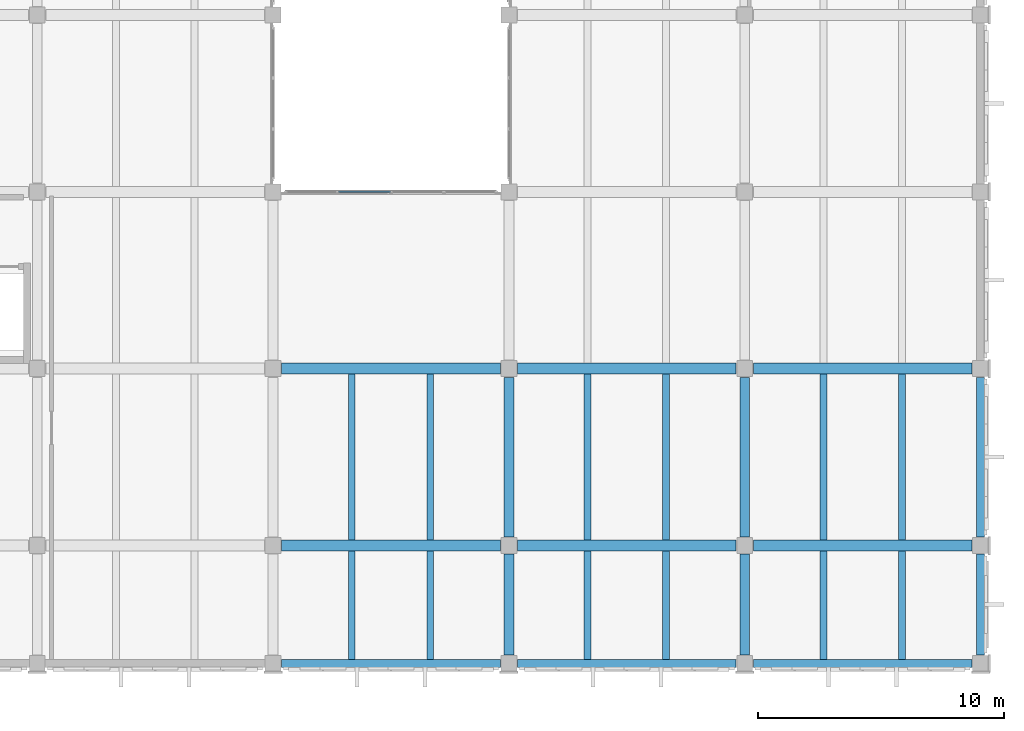
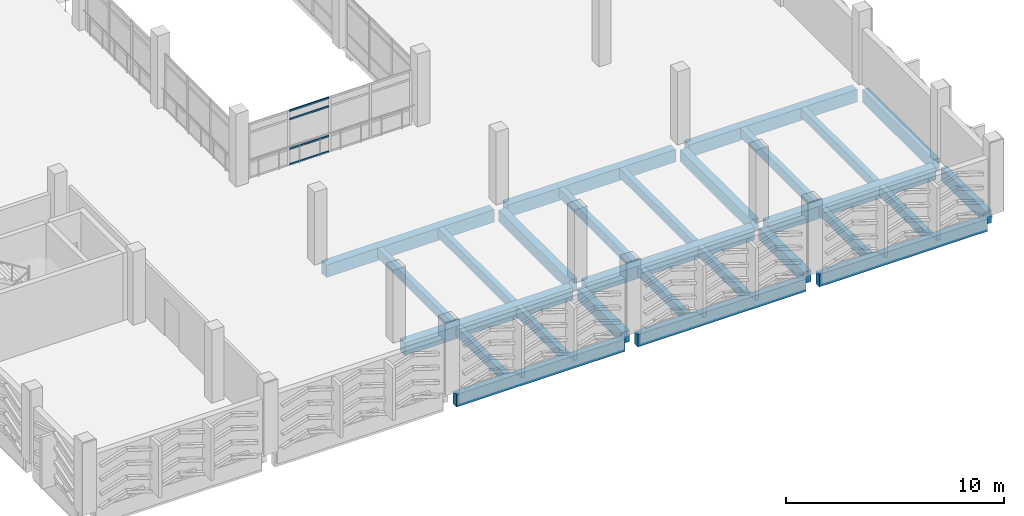
# One storey, part 65 of 134: 27 beams, 4 members, 1 element without a shape of its own.
"""IFC4 building model written with IfcOpenShell, lengths in metres."""

import ifcopenshell
import ifcopenshell.guid

model = None  # the IFC model being written
_history = None  # IfcOwnerHistory: only IFC2X3 demands one
_inside = {}  # id of a spatial element -> (the spatial element, [elements in it])
_under = {}  # id of a project, library or spatial element -> (it, [spatial elements below it])
_declared = {}  # id of a project -> (the project, [libraries it declares])
_typed = {}  # id of a type object -> (the type object, [elements of that type])
_made_of = {}  # id of a material, layer set ... -> (it, [elements and type objects made of it])


def new_model(schema):
    """Start an empty IFC model of exactly this schema.

    Asked for "IFC4X3", IfcOpenShell would pick the latest addendum, in which some entities
    have other attributes; the version numbers below select the first issue.
    IFC2X3 requires an IfcOwnerHistory on every rooted entity: one is made here for all.
    """
    global model, _history
    if schema == "IFC4X3":
        model = ifcopenshell.file(schema_version=(4, 3, 0, 0))
    else:
        model = ifcopenshell.file(schema=schema)
    _inside.clear()
    _under.clear()
    _declared.clear()
    _typed.clear()
    _made_of.clear()
    _history = None
    if model.schema == "IFC2X3":
        org = make("IfcOrganization", Name="unknown")
        user = make(
            "IfcPersonAndOrganization",
            ThePerson=make("IfcPerson", FamilyName="unknown"),
            TheOrganization=org,
        )
        app = make(
            "IfcApplication",
            ApplicationDeveloper=org,
            Version="unknown",
            ApplicationFullName="unknown",
            ApplicationIdentifier="unknown",
        )
        _history = make(
            "IfcOwnerHistory",
            OwningUser=user,
            OwningApplication=app,
            ChangeAction="ADDED",
            CreationDate=0,
        )
    return model


def make(cls, **values):
    """One entity of the class cls with the attributes given. An attribute that is None is left unset."""
    return model.create_entity(
        cls, **{name: value for name, value in values.items() if value is not None}
    )


def rooted(cls, **values):
    """An entity with a GlobalId (a new one), such as an element, a storey or a relation."""
    return make(cls, GlobalId=ifcopenshell.guid.new(), OwnerHistory=_history, **values)


def si_unit(unit_type, name, prefix=None):
    """IfcSIUnit, for example si_unit("LENGTHUNIT", "METRE", prefix="MILLI")."""
    return make("IfcSIUnit", UnitType=unit_type, Prefix=prefix, Name=name)


def assignment(units):
    """IfcUnitAssignment: the units of a project."""
    return None if units is None else make("IfcUnitAssignment", Units=units)


def point(xyz):
    """IfcCartesianPoint."""
    return None if xyz is None else make("IfcCartesianPoint", Coordinates=xyz)


def direction(xyz):
    """IfcDirection."""
    return None if xyz is None else make("IfcDirection", DirectionRatios=xyz)


def frame(location, z_axis=None, x_axis=None):
    """IfcAxis2Placement3D, a coordinate frame: its origin and axes. An axis left out is left unset."""
    return make(
        "IfcAxis2Placement3D",
        Location=point(location),
        Axis=direction(z_axis),
        RefDirection=direction(x_axis),
    )


def frame_2d(location, x_axis=None):
    """IfcAxis2Placement2D, a coordinate frame in the plane: its origin and x axis."""
    return make(
        "IfcAxis2Placement2D", Location=point(location), RefDirection=direction(x_axis)
    )


def origin():
    """The frame at (0, 0, 0) with its axes left unset."""
    return frame((0.0, 0.0, 0.0))


def origin_2d():
    """The frame at (0, 0) in the plane with its x axis left unset."""
    return frame_2d((0.0, 0.0))


def place(relative_to, where):
    """IfcLocalPlacement: puts the frame where relative to a parent placement (None: the world)."""
    return make(
        "IfcLocalPlacement", PlacementRelTo=relative_to, RelativePlacement=where
    )


def context(
    kind, dimensions, precision=None, world=None, true_north=None, identifier=None
):
    """IfcGeometricRepresentationContext, for example the 3D "Model" context."""
    return make(
        "IfcGeometricRepresentationContext",
        ContextIdentifier=identifier,
        ContextType=kind,
        CoordinateSpaceDimension=dimensions,
        Precision=precision,
        WorldCoordinateSystem=world,
        TrueNorth=true_north,
    )


def subcontext(parent, identifier, kind, view, scale=None):
    """IfcGeometricRepresentationSubContext, for example "Body" below "Model"."""
    return make(
        "IfcGeometricRepresentationSubContext",
        ContextIdentifier=identifier,
        ContextType=kind,
        ParentContext=parent,
        TargetScale=scale,
        TargetView=view,
    )


def project(units=None, contexts=None):
    """IfcProject with its units and contexts."""
    return rooted(
        "IfcProject",
        Name="project",
        RepresentationContexts=contexts,
        UnitsInContext=assignment(units),
    )


def spatial(cls, under=None, at=None, **own):
    """A site, building, storey or space (cls), placed at a placement, below another one or the project."""
    s = rooted(cls, ObjectPlacement=at, **own)
    if under is not None:
        _under.setdefault(under.id(), (under, []))[1].append(s)
    return s


def profile(cls, at=None, kind="AREA", **sizes):
    """A parametric profile (cls). Its sizes go by their IFC names, for example OverallWidth=200.0."""
    return make(cls, ProfileType=kind, Position=at, **sizes)


def rectangle(**sizes):
    """IfcRectangleProfileDef."""
    return profile("IfcRectangleProfileDef", **sizes)


def hollow_rectangle(**sizes):
    """IfcRectangleHollowProfileDef."""
    return profile("IfcRectangleHollowProfileDef", **sizes)


def extrude(swept, where, along, depth):
    """IfcExtrudedAreaSolid: the profile swept, set in the frame where, extruded along a direction by depth."""
    return make(
        "IfcExtrudedAreaSolid",
        SweptArea=swept,
        Position=where,
        ExtrudedDirection=direction(along),
        Depth=depth,
    )


def shape(context_of_items, identifier, shape_type, items):
    """IfcShapeRepresentation: the items that make up one representation, for example the "Body"."""
    return make(
        "IfcShapeRepresentation",
        ContextOfItems=context_of_items,
        RepresentationIdentifier=identifier,
        RepresentationType=shape_type,
        Items=items,
    )


def material(Name=None, Category=None):
    """IfcMaterial."""
    return make("IfcMaterial", Name=Name, Category=Category)


def layer(
    of_material, thickness, ventilated=None, Name=None, Category=None, Priority=None
):
    """IfcMaterialLayer: one layer of a wall or slab, of a material (None: an air gap)."""
    return make(
        "IfcMaterialLayer",
        Material=of_material,
        LayerThickness=thickness,
        IsVentilated=ventilated,
        Name=Name,
        Category=Category,
        Priority=Priority,
    )


def layer_set(layers, Name=None):
    """IfcMaterialLayerSet."""
    return make("IfcMaterialLayerSet", MaterialLayers=layers, LayerSetName=Name)


def material_profile(
    of_material, cross_section, Name=None, Category=None, Priority=None
):
    """IfcMaterialProfile: a cross section and its material."""
    return make(
        "IfcMaterialProfile",
        Name=Name,
        Material=of_material,
        Profile=cross_section,
        Priority=Priority,
        Category=Category,
    )


def profile_set(profiles, Name=None, composite=None):
    """IfcMaterialProfileSet."""
    return make(
        "IfcMaterialProfileSet",
        Name=Name,
        MaterialProfiles=profiles,
        CompositeProfile=composite,
    )


def made_of(thing, what):
    """Note that an element or type object is made of a material, layer set ...; save() writes the relation."""
    if what is not None:
        _made_of.setdefault(what.id(), (what, []))[1].append(thing)
    return thing


def type_object(cls, material=None, **own):
    """A type object (cls), such as IfcWallType, which elements share."""
    return made_of(rooted(cls, **own), material)


def element(
    cls,
    number,
    at=None,
    inside=None,
    cuts=None,
    type_object=None,
    material=None,
    context=None,
    identifier="Body",
    shape_type=None,
    held_by="IfcProductDefinitionShape",
    body=None,
    shapes=None,
    **own,
):
    """One element of the class cls, such as IfcWall. Its Tag is "e" and its number.

    at: its placement. inside: the storey or other place that contains it. cuts: it is an
    opening in that element (IfcRelVoidsElement). A single representation is given by context,
    identifier, shape_type and body (its items); several are given by shapes. held_by: the class
    of the entity that holds the representations. save() writes the other relations.
    """
    e = rooted(cls, Tag="e%d" % number, ObjectPlacement=at, **own)
    if body is not None:
        shapes = [shape(context, identifier, shape_type, body)]
    if shapes is not None:
        e.Representation = make(held_by, Representations=shapes)
    if inside is not None:
        _inside.setdefault(inside.id(), (inside, []))[1].append(e)
    if cuts is not None:
        rooted(
            "IfcRelVoidsElement", RelatingBuildingElement=cuts, RelatedOpeningElement=e
        )
    if type_object is not None:
        _typed.setdefault(type_object.id(), (type_object, []))[1].append(e)
    return made_of(e, material)


def aggregate(whole, parts):
    """IfcRelAggregates: a whole, such as a stair, and the parts it consists of."""
    return rooted("IfcRelAggregates", RelatingObject=whole, RelatedObjects=parts)


def save(model, path):
    """Write the relations noted so far, then the file.

    IfcRelAggregates (storeys below a building ...), IfcRelContainedInSpatialStructure (elements
    in a storey), IfcRelDefinesByType, IfcRelAssociatesMaterial and IfcRelDeclares: one each for
    every whole, place, type object, material and project.
    """
    for whole, parts in _under.values():
        aggregate(whole, parts)
    for where, things in _inside.values():
        rooted(
            "IfcRelContainedInSpatialStructure",
            RelatedElements=things,
            RelatingStructure=where,
        )
    for kind, things in _typed.values():
        rooted("IfcRelDefinesByType", RelatedObjects=things, RelatingType=kind)
    for what, things in _made_of.values():
        rooted("IfcRelAssociatesMaterial", RelatedObjects=things, RelatingMaterial=what)
    for by, libraries in _declared.values():
        rooted("IfcRelDeclares", RelatingContext=by, RelatedDefinitions=libraries)
    model.write(path)


model = new_model("IFC4")

# Units and contexts
model_context = context("Model", 3, precision=1e-05, world=origin(), true_north=direction((0.0, 1.0)))
body_context = subcontext(model_context, "Body", "Model", "MODEL_VIEW")
ifc_project = project(units=[si_unit("LENGTHUNIT", "METRE"), si_unit("AREAUNIT", "SQUARE_METRE"), si_unit("VOLUMEUNIT", "CUBIC_METRE"), si_unit("PLANEANGLEUNIT", "RADIAN"), si_unit("MASSUNIT", "GRAM", prefix="KILO")], contexts=[model_context])

# Site, building, storey
site_placement = place(None, origin())
site = spatial("IfcSite", under=ifc_project, at=site_placement, CompositionType="ELEMENT")
building_placement = place(site_placement, origin())
building = spatial("IfcBuilding", under=site, at=building_placement, Name="Asteropetra Specialist Clinic", CompositionType="ELEMENT")
storey_placement = place(building_placement, frame((0.0, 0.0, 8.5)))
storey = spatial("IfcBuildingStorey", under=building, at=storey_placement, Name="L02", CompositionType="ELEMENT", Elevation=8.5)

# Beams
ifc_material_1 = material(Name="Concrete C35/45", Category="concrete")
ifc_material_profile_1 = material_profile(ifc_material_1, rectangle(XDim=0.39990234375, YDim=0.64990234375, at=origin_2d()), Name="RCB 400x650")
ifc_profile_set_1 = profile_set([ifc_material_profile_1], Name="Concrete C35/45")
beam_type_1 = type_object("IfcBeamType", Name="BM-RC400x650", PredefinedType="BEAM", material=ifc_profile_set_1)
for number, where, z_axis, x_axis, name in (
    (1, (134.39990234375, 0.35009765625, -0.625), (0.0, 1.0, 0.0), (-1.0, 0.0, 0.0), "Beam BBM07-1152"),
    (2, (144.0, 0.35009765625, -0.625), (0.0, 1.0, 0.0), (-1.0, 0.0, 0.0), "Beam BBM07-1153"),
):
    element("IfcBeam", number, at=place(storey_placement, frame(where, z_axis=z_axis, x_axis=x_axis)), inside=storey, type_object=beam_type_1, Name=name, PredefinedType="BEAM", context=body_context, shape_type="SweptSolid", body=[
        extrude(rectangle(XDim=0.39990234375, YDim=0.64990234375, at=origin_2d()), origin(), (0.0, 0.0, 1.0), 4.099853515625),
    ])
for number, where, z_axis, x_axis, name in (
    (3, (134.39990234375, 5.14990234375, -0.625), (0.0, 1.0, 0.0), (-1.0, 0.0, 0.0), "Beam BBM07-1168"),
    (4, (144.0, 5.14990234375, -0.625), (0.0, 1.0, 0.0), (-1.0, 0.0, 0.0), "Beam BBM07-1169"),
):
    element("IfcBeam", number, at=place(storey_placement, frame(where, z_axis=z_axis, x_axis=x_axis)), inside=storey, type_object=beam_type_1, Name=name, PredefinedType="BEAM", context=body_context, shape_type="SweptSolid", body=[
        extrude(rectangle(XDim=0.39990234375, YDim=0.64990234375, at=origin_2d()), origin(), (0.0, 0.0, 1.0), 6.5),
    ])
ifc_material_2 = material(Name="Concrete C35/45", Category="concrete")
ifc_material_profile_2 = material_profile(ifc_material_2, rectangle(XDim=0.449951171875, YDim=0.699951171875, at=origin_2d()), Name="RCB 450x700")
ifc_profile_set_2 = profile_set([ifc_material_profile_2], Name="Concrete C35/45")
beam_type_2 = type_object("IfcBeamType", Name="BM-RC450x700", PredefinedType="BEAM", material=ifc_profile_set_2)
beam_1_placement = place(storey_placement, frame((125.14990234375, 4.800048828125, -0.64990234375), z_axis=(1.0, 0.0, 0.0), x_axis=(0.0, 1.0, 0.0)))
element("IfcBeam", 5, at=beam_1_placement, inside=storey, type_object=beam_type_2, Name="Beam BBM05-1124", PredefinedType="BEAM", context=body_context, shape_type="SweptSolid", body=[
    extrude(rectangle(XDim=0.449951171875, YDim=0.699951171875, at=origin_2d()), origin(), (0.0, 0.0, 1.0), 8.900146484375),
])
for number, where, z_axis, x_axis, name in (
    (6, (134.75, 4.800048828125, -0.64990234375), (1.0, 0.0, 0.0), (0.0, 1.0, 0.0), "Beam BBM05-1125"),
    (7, (144.35009765625, 4.800048828125, -0.64990234375), (1.0, 0.0, 0.0), (0.0, 1.0, 0.0), "Beam BBM05-1126"),
):
    element("IfcBeam", number, at=place(storey_placement, frame(where, z_axis=z_axis, x_axis=x_axis)), inside=storey, type_object=beam_type_2, Name=name, PredefinedType="BEAM", context=body_context, shape_type="SweptSolid", body=[
        extrude(rectangle(XDim=0.449951171875, YDim=0.699951171875, at=origin_2d()), origin(), (0.0, 0.0, 1.0), 8.89990234375),
    ])
beam_2_placement = place(storey_placement, frame((125.14990234375, 12.0, -0.64990234375), z_axis=(1.0, 0.0, 0.0), x_axis=(0.0, 1.0, 0.0)))
element("IfcBeam", 8, at=beam_2_placement, inside=storey, type_object=beam_type_2, Name="Beam BBM05-1129", PredefinedType="BEAM", context=body_context, shape_type="SweptSolid", body=[
    extrude(rectangle(XDim=0.449951171875, YDim=0.699951171875, at=origin_2d()), origin(), (0.0, 0.0, 1.0), 8.900146484375),
])
for number, where, z_axis, x_axis, name in (
    (9, (134.75, 12.0, -0.64990234375), (1.0, 0.0, 0.0), (0.0, 1.0, 0.0), "Beam BBM05-1130"),
    (10, (144.35009765625, 12.0, -0.64990234375), (1.0, 0.0, 0.0), (0.0, 1.0, 0.0), "Beam BBM05-1131"),
):
    element("IfcBeam", number, at=place(storey_placement, frame(where, z_axis=z_axis, x_axis=x_axis)), inside=storey, type_object=beam_type_2, Name=name, PredefinedType="BEAM", context=body_context, shape_type="SweptSolid", body=[
        extrude(rectangle(XDim=0.449951171875, YDim=0.699951171875, at=origin_2d()), origin(), (0.0, 0.0, 1.0), 8.89990234375),
    ])

# Curtain wall, members
ifc_material_3 = material(Name="Aluminium and low-E glass", Category="aluminium")
ifc_layer = layer(ifc_material_3, 0.14990234375)
ifc_layer_set = layer_set([ifc_layer], Name="Aluminium and low-E glass")
curtain_wall_type = type_object("IfcCurtainWallType", Name="CW-SYS-08", PredefinedType="USERDEFINED", material=ifc_layer_set)
curtain_wall_placement = place(storey_placement, origin())
curtain_wall = element("IfcCurtainWall", 11, at=curtain_wall_placement, inside=storey, type_object=curtain_wall_type, Name="Curtain Wall CW-077", ObjectType="STICK GLAZED COLONNADE", PredefinedType="USERDEFINED")
ifc_material_4 = material(Name="Aluminium 6063-T6", Category="aluminium")
ifc_material_profile_3 = material_profile(ifc_material_4, hollow_rectangle(XDim=0.06005859375, YDim=0.10009765625, WallThickness=0.00341796875, InnerFilletRadius=0.00341796875, OuterFilletRadius=0.007080078125, at=origin_2d()), Name="TRN 100x60x3.5")
ifc_profile_set_3 = profile_set([ifc_material_profile_3], Name="Aluminium 6063-T6")
member_type = type_object("IfcMemberType", Name="CWT-100x60", PredefinedType="USERDEFINED", material=ifc_profile_set_3)
member_1_placement = place(storey_placement, frame((127.472412109375, 19.199951171875, 0.030029296875), z_axis=(1.0, 0.0, 0.0), x_axis=(0.0, 1.0, 0.0)))
member_1 = element("IfcMember", 12, at=member_1_placement, type_object=member_type, Name="CW-077 transom 2.1", ObjectType="TRANSOM", PredefinedType="USERDEFINED", context=body_context, shape_type="SweptSolid", body=[
    extrude(hollow_rectangle(XDim=0.06005859375, YDim=0.10009765625, WallThickness=0.00341796875, InnerFilletRadius=0.00341796875, OuterFilletRadius=0.007080078125, at=origin_2d()), origin(), (0.0, 0.0, 1.0), 2.09765625),
])
member_2_placement = place(storey_placement, frame((127.472412109375, 19.199951171875, 0.89990234375), z_axis=(1.0, 0.0, 0.0), x_axis=(0.0, 1.0, 0.0)))
member_2 = element("IfcMember", 13, at=member_2_placement, type_object=member_type, Name="CW-077 transom 2.2", ObjectType="TRANSOM", PredefinedType="USERDEFINED", context=body_context, shape_type="SweptSolid", body=[
    extrude(hollow_rectangle(XDim=0.06005859375, YDim=0.10009765625, WallThickness=0.00341796875, InnerFilletRadius=0.00341796875, OuterFilletRadius=0.007080078125, at=origin_2d()), origin(), (0.0, 0.0, 1.0), 2.09765625),
])
member_3_placement = place(storey_placement, frame((127.472412109375, 19.199951171875, 2.56005859375), z_axis=(1.0, 0.0, 0.0), x_axis=(0.0, 1.0, 0.0)))
member_3 = element("IfcMember", 14, at=member_3_placement, type_object=member_type, Name="CW-077 transom 2.3", ObjectType="TRANSOM", PredefinedType="USERDEFINED", context=body_context, shape_type="SweptSolid", body=[
    extrude(hollow_rectangle(XDim=0.06005859375, YDim=0.10009765625, WallThickness=0.00341796875, InnerFilletRadius=0.00341796875, OuterFilletRadius=0.007080078125, at=origin_2d()), origin(), (0.0, 0.0, 1.0), 2.09765625),
])
member_4_placement = place(storey_placement, frame((127.472412109375, 19.199951171875, 3.030029296875), z_axis=(1.0, 0.0, 0.0), x_axis=(0.0, 1.0, 0.0)))
member_4 = element("IfcMember", 15, at=member_4_placement, type_object=member_type, Name="CW-077 transom 2.4", ObjectType="TRANSOM", PredefinedType="USERDEFINED", context=body_context, shape_type="SweptSolid", body=[
    extrude(hollow_rectangle(XDim=0.06005859375, YDim=0.10009765625, WallThickness=0.00341796875, InnerFilletRadius=0.00341796875, OuterFilletRadius=0.007080078125, at=origin_2d()), origin(), (0.0, 0.0, 1.0), 2.09765625),
])
aggregate(curtain_wall, [member_1, member_2, member_3, member_4])

# Beams
ifc_material_5 = material(Name="Concrete C35/45", Category="concrete")
ifc_material_profile_4 = material_profile(ifc_material_5, rectangle(XDim=0.280029296875, YDim=0.52001953125, at=origin_2d()), Name="RCJ 280x520")
ifc_profile_set_4 = profile_set([ifc_material_profile_4], Name="Concrete C35/45")
beam_type_3 = type_object("IfcBeamType", Name="JST-RC280x520", PredefinedType="JOIST", material=ifc_profile_set_4)
for number, where, z_axis, x_axis, name in (
    (16, (128.0, 0.159912109375, -0.56005859375), (0.0, 1.0, 0.0), (-1.0, 0.0, 0.0), "Joist JJST01-1159"),
    (17, (131.199951171875, 0.159912109375, -0.56005859375), (0.0, 1.0, 0.0), (-1.0, 0.0, 0.0), "Joist JJST01-1160"),
    (18, (137.60009765625, 0.159912109375, -0.56005859375), (0.0, 1.0, 0.0), (-1.0, 0.0, 0.0), "Joist JJST01-1161"),
    (19, (140.800048828125, 0.159912109375, -0.56005859375), (0.0, 1.0, 0.0), (-1.0, 0.0, 0.0), "Joist JJST01-1162"),
    (20, (147.199951171875, 0.159912109375, -0.56005859375), (0.0, 1.0, 0.0), (-1.0, 0.0, 0.0), "Joist JJST01-1163"),
    (21, (150.39990234375, 0.159912109375, -0.56005859375), (0.0, 1.0, 0.0), (-1.0, 0.0, 0.0), "Joist JJST01-1164"),
):
    element("IfcBeam", number, at=place(storey_placement, frame(where, z_axis=z_axis, x_axis=x_axis)), inside=storey, type_object=beam_type_3, Name=name, PredefinedType="JOIST", context=body_context, shape_type="SweptSolid", body=[
        extrude(rectangle(XDim=0.280029296875, YDim=0.52001953125, at=origin_2d()), origin(), (0.0, 0.0, 1.0), 4.4150390625),
    ])
for number, where, z_axis, x_axis, name in (
    (22, (128.0, 5.02490234375, -0.56005859375), (0.0, 1.0, 0.0), (-1.0, 0.0, 0.0), "Joist JJST01-1175"),
    (23, (131.199951171875, 5.02490234375, -0.56005859375), (0.0, 1.0, 0.0), (-1.0, 0.0, 0.0), "Joist JJST01-1176"),
    (24, (137.60009765625, 5.02490234375, -0.56005859375), (0.0, 1.0, 0.0), (-1.0, 0.0, 0.0), "Joist JJST01-1177"),
    (25, (140.800048828125, 5.02490234375, -0.56005859375), (0.0, 1.0, 0.0), (-1.0, 0.0, 0.0), "Joist JJST01-1178"),
    (26, (147.199951171875, 5.02490234375, -0.56005859375), (0.0, 1.0, 0.0), (-1.0, 0.0, 0.0), "Joist JJST01-1179"),
    (27, (150.39990234375, 5.02490234375, -0.56005859375), (0.0, 1.0, 0.0), (-1.0, 0.0, 0.0), "Joist JJST01-1180"),
):
    element("IfcBeam", number, at=place(storey_placement, frame(where, z_axis=z_axis, x_axis=x_axis)), inside=storey, type_object=beam_type_3, Name=name, PredefinedType="JOIST", context=body_context, shape_type="SweptSolid", body=[
        extrude(rectangle(XDim=0.280029296875, YDim=0.52001953125, at=origin_2d()), origin(), (0.0, 0.0, 1.0), 6.75),
    ])
ifc_material_6 = material(Name="Concrete C35/45", Category="concrete")
ifc_material_profile_5 = material_profile(ifc_material_6, rectangle(XDim=0.320068359375, YDim=0.699951171875, at=origin_2d()), Name="RCS 320x700")
ifc_profile_set_5 = profile_set([ifc_material_profile_5], Name="Concrete C35/45")
beam_type_4 = type_object("IfcBeamType", Name="SPN-RC320x700", PredefinedType="SPANDREL", material=ifc_profile_set_5)
beam_3_placement = place(storey_placement, frame((125.14990234375, 0.0, -0.64990234375), z_axis=(1.0, 0.0, 0.0), x_axis=(0.0, 1.0, 0.0)))
element("IfcBeam", 28, at=beam_3_placement, inside=storey, type_object=beam_type_4, Name="Beam BSPN02-1119", PredefinedType="SPANDREL", context=body_context, shape_type="SweptSolid", body=[
    extrude(rectangle(XDim=0.320068359375, YDim=0.699951171875, at=origin_2d()), origin(), (0.0, 0.0, 1.0), 8.900146484375),
])
for number, where, z_axis, x_axis, name in (
    (29, (134.75, 0.0, -0.64990234375), (1.0, 0.0, 0.0), (0.0, 1.0, 0.0), "Beam BSPN02-1120"),
    (30, (144.35009765625, 0.0, -0.64990234375), (1.0, 0.0, 0.0), (0.0, 1.0, 0.0), "Beam BSPN02-1121"),
):
    element("IfcBeam", number, at=place(storey_placement, frame(where, z_axis=z_axis, x_axis=x_axis)), inside=storey, type_object=beam_type_4, Name=name, PredefinedType="SPANDREL", context=body_context, shape_type="SweptSolid", body=[
        extrude(rectangle(XDim=0.320068359375, YDim=0.699951171875, at=origin_2d()), origin(), (0.0, 0.0, 1.0), 8.89990234375),
    ])
beam_4_placement = place(storey_placement, frame((153.60009765625, 0.35009765625, -0.64990234375), z_axis=(0.0, 1.0, 0.0), x_axis=(-1.0, 0.0, 0.0)))
element("IfcBeam", 31, at=beam_4_placement, inside=storey, type_object=beam_type_4, Name="Beam BSPN02-1154", PredefinedType="SPANDREL", context=body_context, shape_type="SweptSolid", body=[
    extrude(rectangle(XDim=0.320068359375, YDim=0.699951171875, at=origin_2d()), origin(), (0.0, 0.0, 1.0), 4.099853515625),
])
beam_5_placement = place(storey_placement, frame((153.60009765625, 5.14990234375, -0.64990234375), z_axis=(0.0, 1.0, 0.0), x_axis=(-1.0, 0.0, 0.0)))
element("IfcBeam", 32, at=beam_5_placement, inside=storey, type_object=beam_type_4, Name="Beam BSPN02-1170", PredefinedType="SPANDREL", context=body_context, shape_type="SweptSolid", body=[
    extrude(rectangle(XDim=0.320068359375, YDim=0.699951171875, at=origin_2d()), origin(), (0.0, 0.0, 1.0), 6.5),
])

save(model, "model.ifc")
